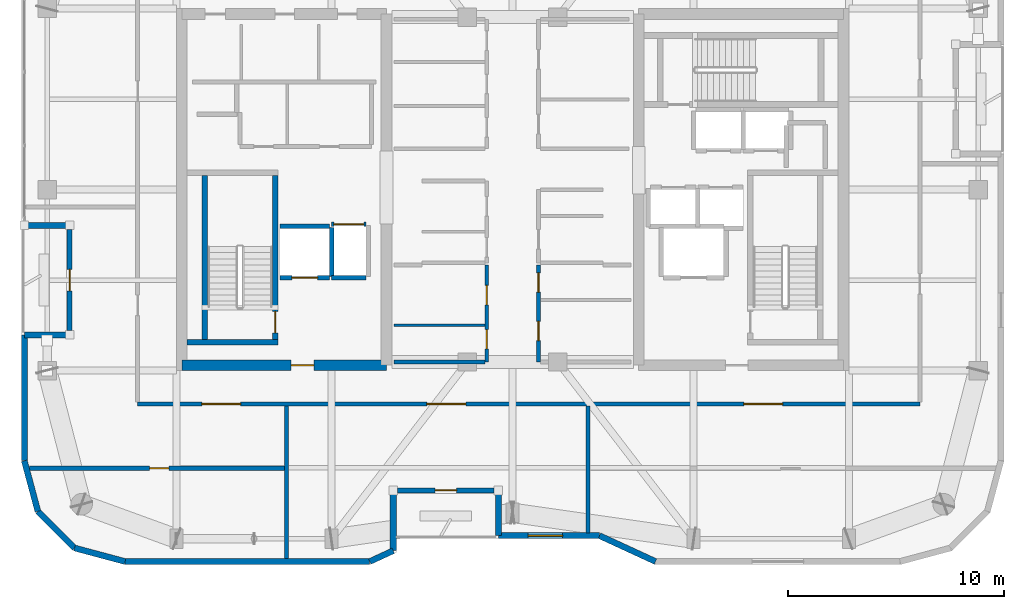
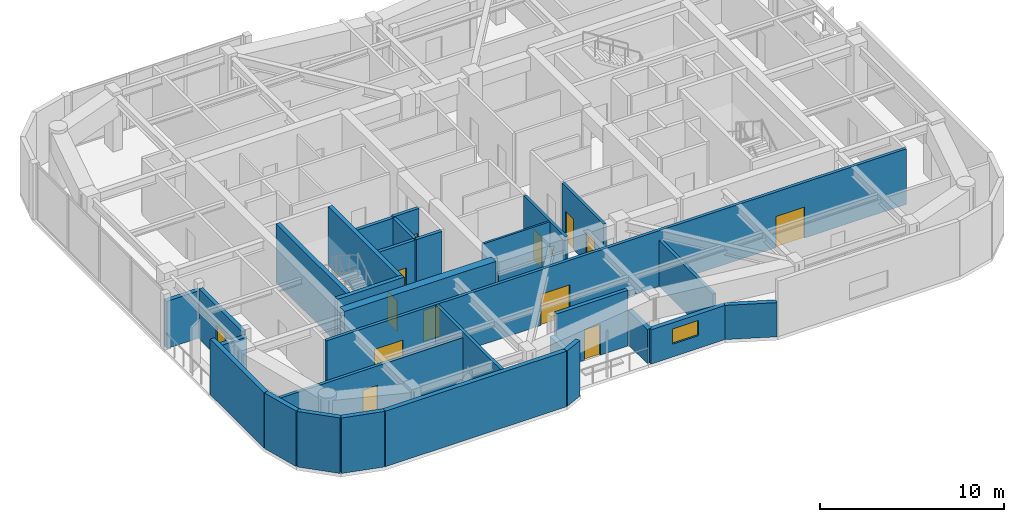
# One storey, part 10 of 16: 31 walls, 14 doors, 1 window, 15 openings.
"""IFC4 building model written with IfcOpenShell, lengths in metres."""

import ifcopenshell
import ifcopenshell.guid

model = None  # the IFC model being written
_history = None  # IfcOwnerHistory: only IFC2X3 demands one
_inside = {}  # id of a spatial element -> (the spatial element, [elements in it])
_under = {}  # id of a project, library or spatial element -> (it, [spatial elements below it])
_declared = {}  # id of a project -> (the project, [libraries it declares])
_typed = {}  # id of a type object -> (the type object, [elements of that type])
_made_of = {}  # id of a material, layer set ... -> (it, [elements and type objects made of it])


def new_model(schema):
    """Start an empty IFC model of exactly this schema.

    Asked for "IFC4X3", IfcOpenShell would pick the latest addendum, in which some entities
    have other attributes; the version numbers below select the first issue.
    IFC2X3 requires an IfcOwnerHistory on every rooted entity: one is made here for all.
    """
    global model, _history
    if schema == "IFC4X3":
        model = ifcopenshell.file(schema_version=(4, 3, 0, 0))
    else:
        model = ifcopenshell.file(schema=schema)
    _inside.clear()
    _under.clear()
    _declared.clear()
    _typed.clear()
    _made_of.clear()
    _history = None
    if model.schema == "IFC2X3":
        org = make("IfcOrganization", Name="unknown")
        user = make(
            "IfcPersonAndOrganization",
            ThePerson=make("IfcPerson", FamilyName="unknown"),
            TheOrganization=org,
        )
        app = make(
            "IfcApplication",
            ApplicationDeveloper=org,
            Version="unknown",
            ApplicationFullName="unknown",
            ApplicationIdentifier="unknown",
        )
        _history = make(
            "IfcOwnerHistory",
            OwningUser=user,
            OwningApplication=app,
            ChangeAction="ADDED",
            CreationDate=0,
        )
    return model


def make(cls, **values):
    """One entity of the class cls with the attributes given. An attribute that is None is left unset."""
    return model.create_entity(
        cls, **{name: value for name, value in values.items() if value is not None}
    )


def rooted(cls, **values):
    """An entity with a GlobalId (a new one), such as an element, a storey or a relation."""
    return make(cls, GlobalId=ifcopenshell.guid.new(), OwnerHistory=_history, **values)


def si_unit(unit_type, name, prefix=None):
    """IfcSIUnit, for example si_unit("LENGTHUNIT", "METRE", prefix="MILLI")."""
    return make("IfcSIUnit", UnitType=unit_type, Prefix=prefix, Name=name)


def assignment(units):
    """IfcUnitAssignment: the units of a project."""
    return None if units is None else make("IfcUnitAssignment", Units=units)


def point(xyz):
    """IfcCartesianPoint."""
    return None if xyz is None else make("IfcCartesianPoint", Coordinates=xyz)


def direction(xyz):
    """IfcDirection."""
    return None if xyz is None else make("IfcDirection", DirectionRatios=xyz)


def frame(location, z_axis=None, x_axis=None):
    """IfcAxis2Placement3D, a coordinate frame: its origin and axes. An axis left out is left unset."""
    return make(
        "IfcAxis2Placement3D",
        Location=point(location),
        Axis=direction(z_axis),
        RefDirection=direction(x_axis),
    )


def frame_2d(location, x_axis=None):
    """IfcAxis2Placement2D, a coordinate frame in the plane: its origin and x axis."""
    return make(
        "IfcAxis2Placement2D", Location=point(location), RefDirection=direction(x_axis)
    )


def origin():
    """The frame at (0, 0, 0) with its axes left unset."""
    return frame((0.0, 0.0, 0.0))


def place(relative_to, where):
    """IfcLocalPlacement: puts the frame where relative to a parent placement (None: the world)."""
    return make(
        "IfcLocalPlacement", PlacementRelTo=relative_to, RelativePlacement=where
    )


def context(
    kind, dimensions, precision=None, world=None, true_north=None, identifier=None
):
    """IfcGeometricRepresentationContext, for example the 3D "Model" context."""
    return make(
        "IfcGeometricRepresentationContext",
        ContextIdentifier=identifier,
        ContextType=kind,
        CoordinateSpaceDimension=dimensions,
        Precision=precision,
        WorldCoordinateSystem=world,
        TrueNorth=true_north,
    )


def subcontext(parent, identifier, kind, view, scale=None):
    """IfcGeometricRepresentationSubContext, for example "Body" below "Model"."""
    return make(
        "IfcGeometricRepresentationSubContext",
        ContextIdentifier=identifier,
        ContextType=kind,
        ParentContext=parent,
        TargetScale=scale,
        TargetView=view,
    )


def project(units=None, contexts=None):
    """IfcProject with its units and contexts."""
    return rooted(
        "IfcProject",
        Name="project",
        RepresentationContexts=contexts,
        UnitsInContext=assignment(units),
    )


def spatial(cls, under=None, at=None, **own):
    """A site, building, storey or space (cls), placed at a placement, below another one or the project."""
    s = rooted(cls, ObjectPlacement=at, **own)
    if under is not None:
        _under.setdefault(under.id(), (under, []))[1].append(s)
    return s


def profile(cls, at=None, kind="AREA", **sizes):
    """A parametric profile (cls). Its sizes go by their IFC names, for example OverallWidth=200.0."""
    return make(cls, ProfileType=kind, Position=at, **sizes)


def rectangle(**sizes):
    """IfcRectangleProfileDef."""
    return profile("IfcRectangleProfileDef", **sizes)


def extrude(swept, where, along, depth):
    """IfcExtrudedAreaSolid: the profile swept, set in the frame where, extruded along a direction by depth."""
    return make(
        "IfcExtrudedAreaSolid",
        SweptArea=swept,
        Position=where,
        ExtrudedDirection=direction(along),
        Depth=depth,
    )


def shape(context_of_items, identifier, shape_type, items):
    """IfcShapeRepresentation: the items that make up one representation, for example the "Body"."""
    return make(
        "IfcShapeRepresentation",
        ContextOfItems=context_of_items,
        RepresentationIdentifier=identifier,
        RepresentationType=shape_type,
        Items=items,
    )


def material(Name=None, Category=None):
    """IfcMaterial."""
    return make("IfcMaterial", Name=Name, Category=Category)


def layer(
    of_material, thickness, ventilated=None, Name=None, Category=None, Priority=None
):
    """IfcMaterialLayer: one layer of a wall or slab, of a material (None: an air gap)."""
    return make(
        "IfcMaterialLayer",
        Material=of_material,
        LayerThickness=thickness,
        IsVentilated=ventilated,
        Name=Name,
        Category=Category,
        Priority=Priority,
    )


def layer_set(layers, Name=None):
    """IfcMaterialLayerSet."""
    return make("IfcMaterialLayerSet", MaterialLayers=layers, LayerSetName=Name)


def made_of(thing, what):
    """Note that an element or type object is made of a material, layer set ...; save() writes the relation."""
    if what is not None:
        _made_of.setdefault(what.id(), (what, []))[1].append(thing)
    return thing


def type_object(cls, material=None, **own):
    """A type object (cls), such as IfcWallType, which elements share."""
    return made_of(rooted(cls, **own), material)


def element(
    cls,
    number,
    at=None,
    inside=None,
    cuts=None,
    type_object=None,
    material=None,
    context=None,
    identifier="Body",
    shape_type=None,
    held_by="IfcProductDefinitionShape",
    body=None,
    shapes=None,
    **own,
):
    """One element of the class cls, such as IfcWall. Its Tag is "e" and its number.

    at: its placement. inside: the storey or other place that contains it. cuts: it is an
    opening in that element (IfcRelVoidsElement). A single representation is given by context,
    identifier, shape_type and body (its items); several are given by shapes. held_by: the class
    of the entity that holds the representations. save() writes the other relations.
    """
    e = rooted(cls, Tag="e%d" % number, ObjectPlacement=at, **own)
    if body is not None:
        shapes = [shape(context, identifier, shape_type, body)]
    if shapes is not None:
        e.Representation = make(held_by, Representations=shapes)
    if inside is not None:
        _inside.setdefault(inside.id(), (inside, []))[1].append(e)
    if cuts is not None:
        rooted(
            "IfcRelVoidsElement", RelatingBuildingElement=cuts, RelatedOpeningElement=e
        )
    if type_object is not None:
        _typed.setdefault(type_object.id(), (type_object, []))[1].append(e)
    return made_of(e, material)


def fill(opening, filler):
    """IfcRelFillsElement: the door or window that sits in an opening."""
    return rooted(
        "IfcRelFillsElement",
        RelatingOpeningElement=opening,
        RelatedBuildingElement=filler,
    )


def aggregate(whole, parts):
    """IfcRelAggregates: a whole, such as a stair, and the parts it consists of."""
    return rooted("IfcRelAggregates", RelatingObject=whole, RelatedObjects=parts)


def save(model, path):
    """Write the relations noted so far, then the file.

    IfcRelAggregates (storeys below a building ...), IfcRelContainedInSpatialStructure (elements
    in a storey), IfcRelDefinesByType, IfcRelAssociatesMaterial and IfcRelDeclares: one each for
    every whole, place, type object, material and project.
    """
    for whole, parts in _under.values():
        aggregate(whole, parts)
    for where, things in _inside.values():
        rooted(
            "IfcRelContainedInSpatialStructure",
            RelatedElements=things,
            RelatingStructure=where,
        )
    for kind, things in _typed.values():
        rooted("IfcRelDefinesByType", RelatedObjects=things, RelatingType=kind)
    for what, things in _made_of.values():
        rooted("IfcRelAssociatesMaterial", RelatedObjects=things, RelatingMaterial=what)
    for by, libraries in _declared.values():
        rooted("IfcRelDeclares", RelatingContext=by, RelatedDefinitions=libraries)
    model.write(path)


model = new_model("IFC4")

# Units and contexts
model_context = context("Model", 3, precision=1e-05, world=origin(), true_north=direction((0.0, 1.0)))
body_context = subcontext(model_context, "Body", "Model", "MODEL_VIEW")
ifc_project = project(units=[si_unit("LENGTHUNIT", "METRE"), si_unit("AREAUNIT", "SQUARE_METRE"), si_unit("VOLUMEUNIT", "CUBIC_METRE"), si_unit("PLANEANGLEUNIT", "RADIAN"), si_unit("MASSUNIT", "GRAM", prefix="KILO")], contexts=[model_context])

# Site, building, storey
site_placement = place(None, origin())
site = spatial("IfcSite", under=ifc_project, at=site_placement, CompositionType="ELEMENT")
building_placement = place(site_placement, origin())
building = spatial("IfcBuilding", under=site, at=building_placement, Name="Kiyonajd Concourse Tower", CompositionType="ELEMENT")
storey_placement = place(building_placement, frame((0.0, 0.0, 329.699951171875)))
storey = spatial("IfcBuildingStorey", under=building, at=storey_placement, Name="L83", CompositionType="ELEMENT", Elevation=329.699951171875)

# Wall, opening, door
ifc_material_1 = material(Name="Concrete C60/75", Category="concrete")
ifc_layer_1 = layer(ifc_material_1, 0.5)
ifc_layer_set_1 = layer_set([ifc_layer_1], Name="Concrete C60/75")
wall_type_1 = type_object("IfcWallType", Name="WL-CORE-500", PredefinedType="SHEAR", material=ifc_layer_set_1)
wall_1_placement = place(storey_placement, frame((32.64990234375, 27.85009765625, 0.0), z_axis=(0.0, 0.0, 1.0), x_axis=(1.0, 0.0, 0.0)))
wall_1 = element("IfcWall", 1, at=wall_1_placement, inside=storey, type_object=wall_type_1, Name="L83 West Core South Shear Wall", PredefinedType="SHEAR", context=body_context, shape_type="SweptSolid", body=[
    extrude(rectangle(XDim=9.5, YDim=0.5, at=frame_2d((4.75, 0.0))), origin(), (0.0, 0.0, 1.0), 3.900146484375),
])
opening_1_placement = place(wall_1_placement, frame((5.074951171875, 0.0, 0.0)))
opening_1 = element("IfcOpeningElement", 2, at=opening_1_placement, cuts=wall_1, Name="Opening DF5", PredefinedType="OPENING", context=body_context, shape_type="SweptSolid", body=[
    extrude(rectangle(XDim=1.050048828125, YDim=2.0400390625, at=frame_2d((0.52490234375, 1.02001953125))), frame((0.0, 0.260009765625, 0.0), z_axis=(0.0, -1.0, 0.0), x_axis=(1.0, 0.0, 0.0)), (0.0, 0.0, 1.0), 0.52001953125),
])
ifc_material_2 = material(Name="Brushed Stainless Steel Cab Assembly", Category="steel")
door_type_1 = type_object("IfcDoorType", Name="DR-FD45-1050", OperationType="NOTDEFINED", PredefinedType="DOOR", material=ifc_material_2)
door_1_placement = place(opening_1_placement, origin())
door_1 = element("IfcDoor", 3, at=door_1_placement, inside=storey, type_object=door_type_1, Name="L83 Firefighting Lift Lobby W Smoke Door", OperationType="SINGLE_SWING_LEFT", OverallHeight=2.0400390625, OverallWidth=1.050048828125, PredefinedType="DOOR", context=body_context, shape_type="SweptSolid", body=[
    extrude(rectangle(XDim=1.050048828125, YDim=2.0400390625, at=frame_2d((0.52490234375, 1.02001953125))), frame((0.0, 0.02490234375, 0.0), z_axis=(0.0, -1.0, 0.0), x_axis=(1.0, 0.0, 0.0)), (0.0, 0.0, 1.0), 0.050048828125),
])
fill(opening_1, door_1)

# Walls
ifc_material_3 = material(Name="Precast concrete C50/60", Category="concrete")
ifc_layer_2 = layer(ifc_material_3, 0.280029296875)
ifc_layer_set_2 = layer_set([ifc_layer_2], Name="Precast concrete C50/60")
wall_type_2 = type_object("IfcWallType", Name="WL-EXT-280", PredefinedType="SOLIDWALL", material=ifc_layer_set_2)
wall_2_placement = place(storey_placement, frame((25.968505859375, 21.072509765625, 0.0), z_axis=(0.0, 0.0, 1.0), x_axis=(-0.258751159445, 0.965944013639, 0.0)))
element("IfcWall", 4, at=wall_2_placement, inside=storey, type_object=wall_type_2, Name="L83 Exterior Concrete Frame Wall 00", PredefinedType="SOLIDWALL", context=body_context, shape_type="SweptSolid", body=[
    extrude(rectangle(XDim=2.4287109375, YDim=0.280029296875, at=frame_2d((1.21435546875, 0.0))), origin(), (0.0, 0.0, 1.0), 3.679931640625),
])
wall_3_placement = place(storey_placement, frame((25.340087890625, 23.41845703125, 0.0), z_axis=(0.0, 0.0, 1.0), x_axis=(0.0, 1.0, 0.0)))
element("IfcWall", 5, at=wall_3_placement, inside=storey, type_object=wall_type_2, Name="L83 Exterior Concrete Frame Wall 01", PredefinedType="SOLIDWALL", context=body_context, shape_type="SweptSolid", body=[
    extrude(rectangle(XDim=5.841552734375, YDim=0.280029296875, at=frame_2d((2.9208984375, 0.0))), origin(), (0.0, 0.0, 1.0), 3.679931640625),
])
for number, where, z_axis, x_axis, name in (
    (6, (25.340087890625, 29.260009765625, 0.0), (0.0, 0.0, 1.0), (1.0, 0.0, 0.0), "L83 Exterior Concrete Frame Wall 02"),
    (7, (27.43994140625, 34.340087890625, 0.0), (0.0, 0.0, 1.0), (-1.0, 0.0, 0.0), "L83 Exterior Concrete Frame Wall 04"),
):
    element("IfcWall", number, at=place(storey_placement, frame(where, z_axis=z_axis, x_axis=x_axis)), inside=storey, type_object=wall_type_2, Name=name, PredefinedType="SOLIDWALL", context=body_context, shape_type="SweptSolid", body=[
        extrude(rectangle(XDim=2.099853515625, YDim=0.280029296875, at=frame_2d((1.0498046875, 0.0))), origin(), (0.0, 0.0, 1.0), 3.1259765625),
    ])
wall_4_placement = place(storey_placement, frame((54.630615234375, 18.739990234375, 0.0), z_axis=(0.0, 0.0, 1.0), x_axis=(-0.907956889006, 0.419063584324, 0.0)))
element("IfcWall", 8, at=wall_4_placement, inside=storey, type_object=wall_type_2, Name="L83 Exterior Concrete Frame Wall 29", PredefinedType="SOLIDWALL", context=body_context, shape_type="SweptSolid", body=[
    extrude(rectangle(XDim=2.863525390625, YDim=0.280029296875, at=frame_2d((1.431640625, 0.0))), origin(), (0.0, 0.0, 1.0), 2.26513671875),
])

# Wall, opening, window
wall_5_placement = place(storey_placement, frame((52.03076171875, 19.93994140625, 0.0), z_axis=(0.0, 0.0, 1.0), x_axis=(-1.0, 0.0, 0.0)))
wall_5 = element("IfcWall", 9, at=wall_5_placement, inside=storey, type_object=wall_type_2, Name="L83 Exterior Concrete Frame Wall 30", PredefinedType="SOLIDWALL", context=body_context, shape_type="SweptSolid", body=[
    extrude(rectangle(XDim=4.690673828125, YDim=0.280029296875, at=frame_2d((2.34521484375, 0.0))), origin(), (0.0, 0.0, 1.0), 2.26513671875),
])
opening_2_placement = place(wall_5_placement, frame((1.716064453125, 0.0, 0.85009765625)))
opening_2 = element("IfcOpeningElement", 10, at=opening_2_placement, cuts=wall_5, Name="Opening WN6", PredefinedType="OPENING", context=body_context, shape_type="SweptSolid", body=[
    extrude(rectangle(XDim=1.60009765625, YDim=1.0, at=frame_2d((0.800048828125, 0.5))), frame((0.0, 0.14990234375, 0.0), z_axis=(0.0, -1.0, 0.0), x_axis=(1.0, 0.0, 0.0)), (0.0, 0.0, 1.0), 0.300048828125),
])
ifc_material_4 = material(Name="Double Low-E Insulated Glass", Category="glass")
window_type = type_object("IfcWindowType", Name="WN-VIS-1600x1000", PartitioningType="SINGLE_PANEL", PredefinedType="WINDOW", material=ifc_material_4)
window_placement = place(opening_2_placement, origin())
window = element("IfcWindow", 11, at=window_placement, inside=storey, type_object=window_type, Name="L83 Modular Facade Vision Window 30", OverallHeight=1.0, OverallWidth=1.60009765625, PartitioningType="SINGLE_PANEL", PredefinedType="WINDOW", context=body_context, shape_type="SweptSolid", body=[
    extrude(rectangle(XDim=1.60009765625, YDim=1.0, at=frame_2d((0.800048828125, 0.5))), frame((0.0, 0.030029296875, 0.0), z_axis=(0.0, -1.0, 0.0), x_axis=(1.0, 0.0, 0.0)), (0.0, 0.0, 1.0), 0.06005859375),
])
fill(opening_2, window)

# Walls
wall_6_placement = place(storey_placement, frame((47.340087890625, 19.93994140625, 0.0), z_axis=(0.0, 0.0, 1.0), x_axis=(0.0, 1.0, 0.0)))
element("IfcWall", 12, at=wall_6_placement, inside=storey, type_object=wall_type_2, Name="L83 Exterior Concrete Frame Wall 31", PredefinedType="SOLIDWALL", context=body_context, shape_type="SweptSolid", body=[
    extrude(rectangle(XDim=2.10009765625, YDim=0.280029296875, at=frame_2d((1.050048828125, 0.0))), origin(), (0.0, 0.0, 1.0), 2.26513671875),
])
wall_7_placement = place(storey_placement, frame((42.4599609375, 22.0400390625, 0.0), z_axis=(0.0, 0.0, 1.0), x_axis=(0.0, -1.0, 0.0)))
element("IfcWall", 13, at=wall_7_placement, inside=storey, type_object=wall_type_2, Name="L83 Exterior Concrete Frame Wall 33", PredefinedType="SOLIDWALL", context=body_context, shape_type="SweptSolid", body=[
    extrude(rectangle(XDim=2.79638671875, YDim=0.280029296875, at=frame_2d((1.398193359375, 0.0))), origin(), (0.0, 0.0, 1.0), 2.26513671875),
])
wall_8_placement = place(storey_placement, frame((42.4599609375, 19.24365234375, 0.0), z_axis=(0.0, 0.0, 1.0), x_axis=(-0.907893953211, -0.419199916176, 0.0)))
element("IfcWall", 14, at=wall_8_placement, inside=storey, type_object=wall_type_2, Name="L83 Exterior Concrete Frame Wall 34", PredefinedType="SOLIDWALL", context=body_context, shape_type="SweptSolid", body=[
    extrude(rectangle(XDim=1.201416015625, YDim=0.280029296875, at=frame_2d((0.6005859375, 0.0))), origin(), (0.0, 0.0, 1.0), 3.679931640625),
])
wall_9_placement = place(storey_placement, frame((41.369140625, 18.739990234375, 0.0), z_axis=(0.0, 0.0, 1.0), x_axis=(-1.0, 0.0, 0.0)))
element("IfcWall", 15, at=wall_9_placement, inside=storey, type_object=wall_type_2, Name="L83 Exterior Concrete Frame Wall 35", PredefinedType="SOLIDWALL", context=body_context, shape_type="SweptSolid", body=[
    extrude(rectangle(XDim=11.350830078125, YDim=0.280029296875, at=frame_2d((5.67529296875, 0.0))), origin(), (0.0, 0.0, 1.0), 3.679931640625),
])
wall_10_placement = place(storey_placement, frame((30.018310546875, 18.739990234375, 0.0), z_axis=(0.0, 0.0, 1.0), x_axis=(-0.965937282298, 0.25877628691, 0.0)))
element("IfcWall", 16, at=wall_10_placement, inside=storey, type_object=wall_type_2, Name="L83 Exterior Concrete Frame Wall 36", PredefinedType="SOLIDWALL", context=body_context, shape_type="SweptSolid", body=[
    extrude(rectangle(XDim=2.428466796875, YDim=0.280029296875, at=frame_2d((1.21435546875, 0.0))), origin(), (0.0, 0.0, 1.0), 3.679931640625),
])
wall_11_placement = place(storey_placement, frame((27.672607421875, 19.368408203125, 0.0), z_axis=(0.0, 0.0, 1.0), x_axis=(-0.707106781187, 0.707106781187, 0.0)))
element("IfcWall", 17, at=wall_11_placement, inside=storey, type_object=wall_type_2, Name="L83 Exterior Concrete Frame Wall 37", PredefinedType="SOLIDWALL", context=body_context, shape_type="SweptSolid", body=[
    extrude(rectangle(XDim=2.409912109375, YDim=0.280029296875, at=frame_2d((1.205078125, 0.0))), origin(), (0.0, 0.0, 1.0), 3.679931640625),
])

# Wall, opening, door
ifc_layer_3 = layer(ifc_material_3, 0.239990234375)
ifc_layer_set_3 = layer_set([ifc_layer_3], Name="Precast concrete C50/60")
wall_type_3 = type_object("IfcWallType", Name="WL-LOG-240", PredefinedType="SOLIDWALL", material=ifc_layer_set_3)
wall_12_placement = place(storey_placement, frame((27.43994140625, 29.455078125, 0.0), z_axis=(0.0, 0.0, 1.0), x_axis=(0.0, 1.0, 0.0)))
wall_12 = element("IfcWall", 18, at=wall_12_placement, inside=storey, type_object=wall_type_3, Name="L83 Recessed Loggia Thermal Wall LOG-W", PredefinedType="SOLIDWALL", context=body_context, shape_type="SweptSolid", body=[
    extrude(rectangle(XDim=4.68994140625, YDim=0.239990234375, at=frame_2d((2.344970703125, 0.0))), origin(), (0.0, 0.0, 1.0), 3.31103515625),
])
opening_3_placement = place(wall_12_placement, frame((1.844970703125, 0.0, 0.0)))
opening_3 = element("IfcOpeningElement", 19, at=opening_3_placement, cuts=wall_12, Name="Opening DL1", PredefinedType="OPENING", context=body_context, shape_type="SweptSolid", body=[
    extrude(rectangle(XDim=1.0, YDim=2.02001953125, at=frame_2d((0.5, 1.010009765625))), frame((0.0, 0.1298828125, 0.0), z_axis=(0.0, -1.0, 0.0), x_axis=(1.0, 0.0, 0.0)), (0.0, 0.0, 1.0), 0.260009765625),
])
ifc_material_5 = material(Name="Thermally Broken Anodised Aluminium", Category="aluminium")
door_type_2 = type_object("IfcDoorType", Name="DR-LOG-1000", OperationType="NOTDEFINED", PredefinedType="DOOR", material=ifc_material_5)
door_2_placement = place(opening_3_placement, origin())
door_2 = element("IfcDoor", 20, at=door_2_placement, inside=storey, type_object=door_type_2, Name="L83 Engawa Loggia Access Door LOG-W", OperationType="SINGLE_SWING_LEFT", OverallHeight=2.02001953125, OverallWidth=1.0, PredefinedType="DOOR", context=body_context, shape_type="SweptSolid", body=[
    extrude(rectangle(XDim=1.0, YDim=2.02001953125, at=frame_2d((0.5, 1.010009765625))), frame((0.0, 0.02490234375, 0.0), z_axis=(0.0, -1.0, 0.0), x_axis=(1.0, 0.0, 0.0)), (0.0, 0.0, 1.0), 0.050048828125),
])
fill(opening_3, door_2)

wall_13_placement = place(storey_placement, frame((47.14501953125, 22.0400390625, 0.0), z_axis=(0.0, 0.0, 1.0), x_axis=(-1.0, 0.0, 0.0)))
wall_13 = element("IfcWall", 21, at=wall_13_placement, inside=storey, type_object=wall_type_3, Name="L83 Recessed Loggia Thermal Wall LOG-S", PredefinedType="SOLIDWALL", context=body_context, shape_type="SweptSolid", body=[
    extrude(rectangle(XDim=4.489990234375, YDim=0.239990234375, at=frame_2d((2.2451171875, 0.0))), origin(), (0.0, 0.0, 1.0), 3.679931640625),
])
opening_4_placement = place(wall_13_placement, frame((1.7451171875, 0.0, 0.0)))
opening_4 = element("IfcOpeningElement", 22, at=opening_4_placement, cuts=wall_13, Name="Opening DL1", PredefinedType="OPENING", context=body_context, shape_type="SweptSolid", body=[
    extrude(rectangle(XDim=1.0, YDim=2.02001953125, at=frame_2d((0.5, 1.010009765625))), frame((0.0, 0.1298828125, 0.0), z_axis=(0.0, -1.0, 0.0), x_axis=(1.0, 0.0, 0.0)), (0.0, 0.0, 1.0), 0.260009765625),
])
door_3_placement = place(opening_4_placement, origin())
door_3 = element("IfcDoor", 23, at=door_3_placement, inside=storey, type_object=door_type_2, Name="L83 Engawa Loggia Access Door LOG-S", OperationType="SINGLE_SWING_RIGHT", OverallHeight=2.02001953125, OverallWidth=1.0, PredefinedType="DOOR", context=body_context, shape_type="SweptSolid", body=[
    extrude(rectangle(XDim=1.0, YDim=2.02001953125, at=frame_2d((0.5, 1.010009765625))), frame((0.0, 0.02490234375, 0.0), z_axis=(0.0, -1.0, 0.0), x_axis=(1.0, 0.0, 0.0)), (0.0, 0.0, 1.0), 0.050048828125),
])
fill(opening_4, door_3)

# Wall
ifc_material_6 = material(Name="Gypsum Board on Cold-Formed Steel Stud", Category="steel")
ifc_layer_4 = layer(ifc_material_6, 0.125)
ifc_layer_set_4 = layer_set([ifc_layer_4], Name="Gypsum Board on Cold-Formed Steel Stud")
wall_type_4 = type_object("IfcWallType", Name="WL-PART-125", PredefinedType="PARTITIONING", material=ifc_layer_set_4)
wall_14_placement = place(storey_placement, frame((42.5, 29.7099609375, 0.0), z_axis=(0.0, 0.0, 1.0), x_axis=(1.0, 0.0, 0.0)))
element("IfcWall", 24, at=wall_14_placement, inside=storey, type_object=wall_type_4, Name="L83 Interior Partition Wall", PredefinedType="PARTITIONING", context=body_context, shape_type="SweptSolid", body=[
    extrude(rectangle(XDim=4.212890625, YDim=0.125, at=frame_2d((2.1064453125, 0.0))), origin(), (0.0, 0.0, 1.0), 3.679931640625),
])

# Wall, openings, doors
ifc_layer_5 = layer(ifc_material_6, 0.18994140625)
ifc_layer_set_5 = layer_set([ifc_layer_5], Name="Gypsum Board on Cold-Formed Steel Stud")
wall_type_5 = type_object("IfcWallType", Name="WL-PLMB-190", PredefinedType="PLUMBINGWALL", material=ifc_layer_set_5)
wall_15_placement = place(storey_placement, frame((30.60009765625, 26.050048828125, 0.0), z_axis=(0.0, 0.0, 1.0), x_axis=(1.0, 0.0, 0.0)))
wall_15 = element("IfcWall", 25, at=wall_15_placement, inside=storey, type_object=wall_type_5, Name="L83 Interior Partition Wall", PredefinedType="PLUMBINGWALL", context=body_context, shape_type="SweptSolid", body=[
    extrude(rectangle(XDim=36.2998046875, YDim=0.18994140625, at=frame_2d((18.14990234375, 0.0))), origin(), (0.0, 0.0, 1.0), 3.679931640625),
])
opening_5_placement = place(wall_15_placement, frame((2.97509765625, 0.0, 0.0)))
opening_5 = element("IfcOpeningElement", 26, at=opening_5_placement, cuts=wall_15, Name="Opening DI3", PredefinedType="OPENING", context=body_context, shape_type="SweptSolid", body=[
    extrude(rectangle(XDim=1.800048828125, YDim=2.06005859375, at=frame_2d((0.89990234375, 1.030029296875))), frame((0.0, 0.10498046875, 0.0), z_axis=(0.0, -1.0, 0.0), x_axis=(1.0, 0.0, 0.0)), (0.0, 0.0, 1.0), 0.2099609375),
])
opening_6_placement = place(wall_15_placement, frame((13.425048828125, 0.0, 0.0)))
opening_6 = element("IfcOpeningElement", 27, at=opening_6_placement, cuts=wall_15, Name="Opening DI3", PredefinedType="OPENING", context=body_context, shape_type="SweptSolid", body=[
    extrude(rectangle(XDim=1.800048828125, YDim=2.06005859375, at=frame_2d((0.89990234375, 1.030029296875))), frame((0.0, 0.10498046875, 0.0), z_axis=(0.0, -1.0, 0.0), x_axis=(1.0, 0.0, 0.0)), (0.0, 0.0, 1.0), 0.2099609375),
])
opening_7_placement = place(wall_15_placement, frame((28.125, 0.0, 0.0)))
opening_7 = element("IfcOpeningElement", 28, at=opening_7_placement, cuts=wall_15, Name="Opening DI3", PredefinedType="OPENING", context=body_context, shape_type="SweptSolid", body=[
    extrude(rectangle(XDim=1.800048828125, YDim=2.06005859375, at=frame_2d((0.89990234375, 1.030029296875))), frame((0.0, 0.10498046875, 0.0), z_axis=(0.0, -1.0, 0.0), x_axis=(1.0, 0.0, 0.0)), (0.0, 0.0, 1.0), 0.2099609375),
])
door_type_3 = type_object("IfcDoorType", Name="DR-PAIR-1800", OperationType="DOUBLE_DOOR_SINGLE_SWING", PredefinedType="DOOR", material=ifc_material_2)
door_4_placement = place(opening_5_placement, origin())
door_4 = element("IfcDoor", 29, at=door_4_placement, inside=storey, type_object=door_type_3, Name="L83 Interior Door", OperationType="DOUBLE_DOOR_SINGLE_SWING", OverallHeight=2.06005859375, OverallWidth=1.800048828125, PredefinedType="DOOR", context=body_context, shape_type="SweptSolid", body=[
    extrude(rectangle(XDim=1.800048828125, YDim=2.06005859375, at=frame_2d((0.89990234375, 1.030029296875))), frame((0.0, 0.02490234375, 0.0), z_axis=(0.0, -1.0, 0.0), x_axis=(1.0, 0.0, 0.0)), (0.0, 0.0, 1.0), 0.050048828125),
])
fill(opening_5, door_4)
door_5_placement = place(opening_6_placement, origin())
door_5 = element("IfcDoor", 30, at=door_5_placement, inside=storey, type_object=door_type_3, Name="L83 Interior Door", OperationType="DOUBLE_DOOR_SINGLE_SWING", OverallHeight=2.06005859375, OverallWidth=1.800048828125, PredefinedType="DOOR", context=body_context, shape_type="SweptSolid", body=[
    extrude(rectangle(XDim=1.800048828125, YDim=2.06005859375, at=frame_2d((0.89990234375, 1.030029296875))), frame((0.0, 0.02490234375, 0.0), z_axis=(0.0, -1.0, 0.0), x_axis=(1.0, 0.0, 0.0)), (0.0, 0.0, 1.0), 0.050048828125),
])
fill(opening_6, door_5)
door_6_placement = place(opening_7_placement, origin())
door_6 = element("IfcDoor", 31, at=door_6_placement, inside=storey, type_object=door_type_3, Name="L83 Interior Door", OperationType="DOUBLE_DOOR_SINGLE_SWING", OverallHeight=2.06005859375, OverallWidth=1.800048828125, PredefinedType="DOOR", context=body_context, shape_type="SweptSolid", body=[
    extrude(rectangle(XDim=1.800048828125, YDim=2.06005859375, at=frame_2d((0.89990234375, 1.030029296875))), frame((0.0, 0.02490234375, 0.0), z_axis=(0.0, -1.0, 0.0), x_axis=(1.0, 0.0, 0.0)), (0.0, 0.0, 1.0), 0.050048828125),
])
fill(opening_7, door_6)

# Wall, opening, door
wall_16_placement = place(storey_placement, frame((25.574951171875, 23.070068359375, 0.0), z_axis=(0.0, 0.0, 1.0), x_axis=(1.0, 0.0, 0.0)))
wall_16 = element("IfcWall", 32, at=wall_16_placement, inside=storey, type_object=wall_type_5, Name="L83 Interior Partition Wall", PredefinedType="PLUMBINGWALL", context=body_context, shape_type="SweptSolid", body=[
    extrude(rectangle(XDim=11.925048828125, YDim=0.18994140625, at=frame_2d((5.96240234375, 0.0))), origin(), (0.0, 0.0, 1.0), 3.31103515625),
])
opening_8_placement = place(wall_16_placement, frame((5.574951171875, 0.0, 0.0)))
opening_8 = element("IfcOpeningElement", 33, at=opening_8_placement, cuts=wall_16, Name="Opening DI2", PredefinedType="OPENING", context=body_context, shape_type="SweptSolid", body=[
    extrude(rectangle(XDim=0.89990234375, YDim=2.02001953125, at=frame_2d((0.449951171875, 1.010009765625))), frame((0.0, 0.10498046875, 0.0), z_axis=(0.0, -1.0, 0.0), x_axis=(1.0, 0.0, 0.0)), (0.0, 0.0, 1.0), 0.2099609375),
])
ifc_material_7 = material(Name="Natural Oak Acoustic Timber Veneer", Category="wood")
door_type_4 = type_object("IfcDoorType", Name="DR-INT-900", OperationType="NOTDEFINED", PredefinedType="DOOR", material=ifc_material_7)
door_7_placement = place(opening_8_placement, origin())
door_7 = element("IfcDoor", 34, at=door_7_placement, inside=storey, type_object=door_type_4, Name="L83 Interior Door", OperationType="SINGLE_SWING_LEFT", OverallHeight=2.02001953125, OverallWidth=0.89990234375, PredefinedType="DOOR", context=body_context, shape_type="SweptSolid", body=[
    extrude(rectangle(XDim=0.89990234375, YDim=2.02001953125, at=frame_2d((0.449951171875, 1.010009765625))), frame((0.0, 0.02490234375, 0.0), z_axis=(0.0, -1.0, 0.0), x_axis=(1.0, 0.0, 0.0)), (0.0, 0.0, 1.0), 0.050048828125),
])
fill(opening_8, door_7)

# Walls
wall_17_placement = place(storey_placement, frame((37.5, 18.875, 0.0), z_axis=(0.0, 0.0, 1.0), x_axis=(0.0, 1.0, 0.0)))
element("IfcWall", 35, at=wall_17_placement, inside=storey, type_object=wall_type_5, Name="L83 Interior Partition Wall", PredefinedType="PLUMBINGWALL", context=body_context, shape_type="SweptSolid", body=[
    extrude(rectangle(XDim=7.077880859375, YDim=0.18994140625, at=frame_2d((3.5390625, 0.0))), origin(), (0.0, 0.0, 1.0), 3.679931640625),
])
wall_18_placement = place(storey_placement, frame((51.5, 20.074951171875, 0.0), z_axis=(0.0, 0.0, 1.0), x_axis=(0.0, 1.0, 0.0)))
element("IfcWall", 36, at=wall_18_placement, inside=storey, type_object=wall_type_5, Name="L83 Interior Partition Wall", PredefinedType="PLUMBINGWALL", context=body_context, shape_type="SweptSolid", body=[
    extrude(rectangle(XDim=5.8779296875, YDim=0.18994140625, at=frame_2d((2.93896484375, 0.0))), origin(), (0.0, 0.0, 1.0), 3.04296875),
])

# Wall, opening, door
ifc_layer_6 = layer(ifc_material_6, 0.2099609375)
ifc_layer_set_6 = layer_set([ifc_layer_6], Name="Gypsum Board on Cold-Formed Steel Stud")
wall_type_6 = type_object("IfcWallType", Name="WL-SHAFT-210", PredefinedType="PARTITIONING", material=ifc_layer_set_6)
wall_19_placement = place(storey_placement, frame((37.199951171875, 31.89990234375, 0.0), z_axis=(0.0, 0.0, 1.0), x_axis=(1.0, 0.0, 0.0)))
wall_19 = element("IfcWall", 37, at=wall_19_placement, inside=storey, type_object=wall_type_6, Name="L83 Shaft Enclosure Wall", PredefinedType="PARTITIONING", context=body_context, shape_type="SweptSolid", body=[
    extrude(rectangle(XDim=2.300048828125, YDim=0.2099609375, at=frame_2d((1.14990234375, 0.0))), origin(), (0.0, 0.0, 1.0), 3.679931640625),
])
opening_9_placement = place(wall_19_placement, frame((0.550048828125, 0.0, 0.0)))
opening_9 = element("IfcOpeningElement", 38, at=opening_9_placement, cuts=wall_19, Name="Opening LD2", PredefinedType="OPENING", context=body_context, shape_type="SweptSolid", body=[
    extrude(rectangle(XDim=1.199951171875, YDim=2.0400390625, at=frame_2d((0.60009765625, 1.02001953125))), frame((0.0, 0.114990234375, 0.0), z_axis=(0.0, -1.0, 0.0), x_axis=(1.0, 0.0, 0.0)), (0.0, 0.0, 1.0), 0.22998046875),
])
door_type_5 = type_object("IfcDoorType", Name="DR-LD-1200", OperationType="DOUBLE_DOOR_SLIDING", PredefinedType="DOOR", material=ifc_material_2)
door_8_placement = place(opening_9_placement, origin())
door_8 = element("IfcDoor", 39, at=door_8_placement, inside=storey, type_object=door_type_5, Name="L83 Lift FFL1 Sliding Landing Door", OperationType="DOUBLE_DOOR_SLIDING", OverallHeight=2.0400390625, OverallWidth=1.199951171875, PredefinedType="DOOR", context=body_context, shape_type="SweptSolid", body=[
    extrude(rectangle(XDim=1.199951171875, YDim=2.0400390625, at=frame_2d((0.60009765625, 1.02001953125))), frame((0.0, 0.02490234375, 0.0), z_axis=(0.0, -1.0, 0.0), x_axis=(1.0, 0.0, 0.0)), (0.0, 0.0, 1.0), 0.050048828125),
])
fill(opening_9, door_8)

# Walls
wall_20_placement = place(storey_placement, frame((37.199951171875, 34.300048828125, 0.0), z_axis=(0.0, 0.0, 1.0), x_axis=(1.0, 0.0, 0.0)))
element("IfcWall", 40, at=wall_20_placement, inside=storey, type_object=wall_type_6, Name="L83 Shaft Enclosure Wall", PredefinedType="PARTITIONING", context=body_context, shape_type="SweptSolid", body=[
    extrude(rectangle(XDim=2.300048828125, YDim=0.2099609375, at=frame_2d((1.14990234375, 0.0))), origin(), (0.0, 0.0, 1.0), 3.679931640625),
])
wall_21_placement = place(storey_placement, frame((39.60009765625, 31.9599609375, 0.0), z_axis=(0.0, 0.0, 1.0), x_axis=(0.0, 1.0, 0.0)))
element("IfcWall", 41, at=wall_21_placement, inside=storey, type_object=wall_type_6, Name="L83 Shaft Enclosure Wall", PredefinedType="PARTITIONING", context=body_context, shape_type="SweptSolid", body=[
    extrude(rectangle(XDim=2.280029296875, YDim=0.2099609375, at=frame_2d((1.14013671875, 0.0))), origin(), (0.0, 0.0, 1.0), 3.679931640625),
])

# Wall, opening, door
wall_22_placement = place(storey_placement, frame((39.60009765625, 34.39990234375, 0.0), z_axis=(0.0, 0.0, 1.0), x_axis=(1.0, 0.0, 0.0)))
wall_22 = element("IfcWall", 42, at=wall_22_placement, inside=storey, type_object=wall_type_6, Name="L83 Shaft Enclosure Wall", PredefinedType="PARTITIONING", context=body_context, shape_type="SweptSolid", body=[
    extrude(rectangle(XDim=1.599853515625, YDim=0.2099609375, at=frame_2d((0.7998046875, 0.0))), origin(), (0.0, 0.0, 1.0), 3.679931640625),
])
opening_10_placement = place(wall_22_placement, frame((0.10009765625, 0.0, 0.0)))
opening_10 = element("IfcOpeningElement", 43, at=opening_10_placement, cuts=wall_22, Name="Opening LD3", PredefinedType="OPENING", context=body_context, shape_type="SweptSolid", body=[
    extrude(rectangle(XDim=1.39990234375, YDim=2.06005859375, at=frame_2d((0.699951171875, 1.030029296875))), frame((0.0, 0.114990234375, 0.0), z_axis=(0.0, -1.0, 0.0), x_axis=(1.0, 0.0, 0.0)), (0.0, 0.0, 1.0), 0.22998046875),
])
door_type_6 = type_object("IfcDoorType", Name="DR-LD-1400", OperationType="DOUBLE_DOOR_SLIDING", PredefinedType="DOOR", material=ifc_material_2)
door_9_placement = place(opening_10_placement, origin())
door_9 = element("IfcDoor", 44, at=door_9_placement, inside=storey, type_object=door_type_6, Name="L83 Lift SVL1 Sliding Landing Door", OperationType="DOUBLE_DOOR_SLIDING", OverallHeight=2.06005859375, OverallWidth=1.39990234375, PredefinedType="DOOR", context=body_context, shape_type="SweptSolid", body=[
    extrude(rectangle(XDim=1.39990234375, YDim=2.06005859375, at=frame_2d((0.699951171875, 1.030029296875))), frame((0.0, 0.02490234375, 0.0), z_axis=(0.0, -1.0, 0.0), x_axis=(1.0, 0.0, 0.0)), (0.0, 0.0, 1.0), 0.050048828125),
])
fill(opening_10, door_9)

# Wall
wall_23_placement = place(storey_placement, frame((39.60009765625, 31.89990234375, 0.0), z_axis=(0.0, 0.0, 1.0), x_axis=(1.0, 0.0, 0.0)))
element("IfcWall", 45, at=wall_23_placement, inside=storey, type_object=wall_type_6, Name="L83 Shaft Enclosure Wall", PredefinedType="PARTITIONING", context=body_context, shape_type="SweptSolid", body=[
    extrude(rectangle(XDim=1.599853515625, YDim=0.2099609375, at=frame_2d((0.7998046875, 0.0))), origin(), (0.0, 0.0, 1.0), 3.679931640625),
])

# Wall, openings, doors
ifc_layer_7 = layer(ifc_material_6, 0.169921875)
ifc_layer_set_7 = layer_set([ifc_layer_7], Name="Gypsum Board on Cold-Formed Steel Stud")
wall_type_7 = type_object("IfcWallType", Name="WL-SMK-170", PredefinedType="PARTITIONING", material=ifc_layer_set_7)
wall_24_placement = place(storey_placement, frame((46.800048828125, 28.0, 0.0), z_axis=(0.0, 0.0, 1.0), x_axis=(0.0, 1.0, 0.0)))
wall_24 = element("IfcWall", 46, at=wall_24_placement, inside=storey, type_object=wall_type_7, Name="L83 Interior Partition Wall", PredefinedType="PARTITIONING", context=body_context, shape_type="SweptSolid", body=[
    extrude(rectangle(XDim=4.5, YDim=0.169921875, at=frame_2d((2.25, 0.0))), origin(), (0.0, 0.0, 1.0), 3.679931640625),
])
opening_11_placement = place(wall_24_placement, frame((0.60498046875, 0.0, 0.0)))
opening_11 = element("IfcOpeningElement", 47, at=opening_11_placement, cuts=wall_24, Name="Opening DI2", PredefinedType="OPENING", context=body_context, shape_type="SweptSolid", body=[
    extrude(rectangle(XDim=0.89990234375, YDim=2.02001953125, at=frame_2d((0.449951171875, 1.010009765625))), frame((0.0, 0.094970703125, 0.0), z_axis=(0.0, -1.0, 0.0), x_axis=(1.0, 0.0, 0.0)), (0.0, 0.0, 1.0), 0.18994140625),
])
opening_12_placement = place(wall_24_placement, frame((2.655029296875, 0.0, 0.0)))
opening_12 = element("IfcOpeningElement", 48, at=opening_12_placement, cuts=wall_24, Name="Opening DI2", PredefinedType="OPENING", context=body_context, shape_type="SweptSolid", body=[
    extrude(rectangle(XDim=0.89990234375, YDim=2.02001953125, at=frame_2d((0.449951171875, 1.010009765625))), frame((0.0, 0.094970703125, 0.0), z_axis=(0.0, -1.0, 0.0), x_axis=(1.0, 0.0, 0.0)), (0.0, 0.0, 1.0), 0.18994140625),
])
door_10_placement = place(opening_11_placement, origin())
door_10 = element("IfcDoor", 49, at=door_10_placement, inside=storey, type_object=door_type_4, Name="L83 Interior Door", OperationType="SINGLE_SWING_RIGHT", OverallHeight=2.02001953125, OverallWidth=0.89990234375, PredefinedType="DOOR", context=body_context, shape_type="SweptSolid", body=[
    extrude(rectangle(XDim=0.89990234375, YDim=2.02001953125, at=frame_2d((0.449951171875, 1.010009765625))), frame((0.0, 0.02490234375, 0.0), z_axis=(0.0, -1.0, 0.0), x_axis=(1.0, 0.0, 0.0)), (0.0, 0.0, 1.0), 0.050048828125),
])
fill(opening_11, door_10)
door_11_placement = place(opening_12_placement, origin())
door_11 = element("IfcDoor", 50, at=door_11_placement, inside=storey, type_object=door_type_4, Name="L83 Interior Door", OperationType="SINGLE_SWING_LEFT", OverallHeight=2.02001953125, OverallWidth=0.89990234375, PredefinedType="DOOR", context=body_context, shape_type="SweptSolid", body=[
    extrude(rectangle(XDim=0.89990234375, YDim=2.02001953125, at=frame_2d((0.449951171875, 1.010009765625))), frame((0.0, 0.02490234375, 0.0), z_axis=(0.0, -1.0, 0.0), x_axis=(1.0, 0.0, 0.0)), (0.0, 0.0, 1.0), 0.050048828125),
])
fill(opening_12, door_11)

# Wall
wall_25_placement = place(storey_placement, frame((42.5, 28.0, 0.0), z_axis=(0.0, 0.0, 1.0), x_axis=(1.0, 0.0, 0.0)))
element("IfcWall", 51, at=wall_25_placement, inside=storey, type_object=wall_type_7, Name="L83 Interior Partition Wall", PredefinedType="PARTITIONING", context=body_context, shape_type="SweptSolid", body=[
    extrude(rectangle(XDim=4.212890625, YDim=0.169921875, at=frame_2d((2.1064453125, 0.0))), origin(), (0.0, 0.0, 1.0), 2.76513671875),
])

# Wall, openings, doors
wall_26_placement = place(storey_placement, frame((49.199951171875, 28.0, 0.0), z_axis=(0.0, 0.0, 1.0), x_axis=(0.0, 1.0, 0.0)))
wall_26 = element("IfcWall", 52, at=wall_26_placement, inside=storey, type_object=wall_type_7, Name="L83 Interior Partition Wall", PredefinedType="PARTITIONING", context=body_context, shape_type="SweptSolid", body=[
    extrude(rectangle(XDim=4.5, YDim=0.169921875, at=frame_2d((2.25, 0.0))), origin(), (0.0, 0.0, 1.0), 3.679931640625),
])
opening_13_placement = place(wall_26_placement, frame((0.989990234375, 0.0, 0.0)))
opening_13 = element("IfcOpeningElement", 53, at=opening_13_placement, cuts=wall_26, Name="Opening DF4", PredefinedType="OPENING", context=body_context, shape_type="SweptSolid", body=[
    extrude(rectangle(XDim=0.89990234375, YDim=2.02001953125, at=frame_2d((0.449951171875, 1.010009765625))), frame((0.0, 0.094970703125, 0.0), z_axis=(0.0, -1.0, 0.0), x_axis=(1.0, 0.0, 0.0)), (0.0, 0.0, 1.0), 0.18994140625),
])
opening_14_placement = place(wall_26_placement, frame((3.239990234375, 0.0, 0.0)))
opening_14 = element("IfcOpeningElement", 54, at=opening_14_placement, cuts=wall_26, Name="Opening DF4", PredefinedType="OPENING", context=body_context, shape_type="SweptSolid", body=[
    extrude(rectangle(XDim=0.89990234375, YDim=2.02001953125, at=frame_2d((0.449951171875, 1.010009765625))), frame((0.0, 0.094970703125, 0.0), z_axis=(0.0, -1.0, 0.0), x_axis=(1.0, 0.0, 0.0)), (0.0, 0.0, 1.0), 0.18994140625),
])
door_type_7 = type_object("IfcDoorType", Name="DR-FD60-900", OperationType="NOTDEFINED", PredefinedType="DOOR", material=ifc_material_2)
door_12_placement = place(opening_13_placement, origin())
door_12 = element("IfcDoor", 55, at=door_12_placement, inside=storey, type_object=door_type_7, Name="L83 Interior Door", OperationType="SINGLE_SWING_RIGHT", OverallHeight=2.02001953125, OverallWidth=0.89990234375, PredefinedType="DOOR", context=body_context, shape_type="SweptSolid", body=[
    extrude(rectangle(XDim=0.89990234375, YDim=2.02001953125, at=frame_2d((0.449951171875, 1.010009765625))), frame((0.0, 0.02490234375, 0.0), z_axis=(0.0, -1.0, 0.0), x_axis=(1.0, 0.0, 0.0)), (0.0, 0.0, 1.0), 0.050048828125),
])
fill(opening_13, door_12)
door_13_placement = place(opening_14_placement, origin())
door_13 = element("IfcDoor", 56, at=door_13_placement, inside=storey, type_object=door_type_7, Name="L83 Interior Door", OperationType="SINGLE_SWING_LEFT", OverallHeight=2.02001953125, OverallWidth=0.89990234375, PredefinedType="DOOR", context=body_context, shape_type="SweptSolid", body=[
    extrude(rectangle(XDim=0.89990234375, YDim=2.02001953125, at=frame_2d((0.449951171875, 1.010009765625))), frame((0.0, 0.02490234375, 0.0), z_axis=(0.0, -1.0, 0.0), x_axis=(1.0, 0.0, 0.0)), (0.0, 0.0, 1.0), 0.050048828125),
])
fill(opening_14, door_13)

# Walls
ifc_material_8 = material(Name="Concrete C50/60", Category="concrete")
ifc_layer_8 = layer(ifc_material_8, 0.260009765625)
ifc_layer_set_8 = layer_set([ifc_layer_8], Name="Concrete C50/60")
wall_type_8 = type_object("IfcWallType", Name="WL-STAIR-260", PredefinedType="SHEAR", material=ifc_layer_set_8)
wall_27_placement = place(storey_placement, frame((32.89990234375, 28.919921875, 0.0), z_axis=(0.0, 0.0, 1.0), x_axis=(1.0, 0.0, 0.0)))
element("IfcWall", 57, at=wall_27_placement, inside=storey, type_object=wall_type_8, Name="L83 Stair ST1 Structural South Wall", PredefinedType="SHEAR", context=body_context, shape_type="SweptSolid", body=[
    extrude(rectangle(XDim=4.210205078125, YDim=0.260009765625, at=frame_2d((2.10498046875, 0.0))), origin(), (0.0, 0.0, 1.0), 3.900146484375),
])
wall_28_placement = place(storey_placement, frame((33.719970703125, 29.050048828125, 0.0), z_axis=(0.0, 0.0, 1.0), x_axis=(0.0, 1.0, 0.0)))
element("IfcWall", 58, at=wall_28_placement, inside=storey, type_object=wall_type_8, Name="L83 Stair ST1 Structural West Wall", PredefinedType="SHEAR", context=body_context, shape_type="SweptSolid", body=[
    extrude(rectangle(XDim=7.599853515625, YDim=0.260009765625, at=frame_2d((3.7998046875, 0.0))), origin(), (0.0, 0.0, 1.0), 3.900146484375),
])

# Wall, opening, door
wall_29_placement = place(storey_placement, frame((36.97998046875, 29.050048828125, 0.0), z_axis=(0.0, 0.0, 1.0), x_axis=(0.0, 1.0, 0.0)))
wall_29 = element("IfcWall", 59, at=wall_29_placement, inside=storey, type_object=wall_type_8, Name="L83 Stair ST1 Structural East Wall", PredefinedType="SHEAR", context=body_context, shape_type="SweptSolid", body=[
    extrude(rectangle(XDim=7.599853515625, YDim=0.260009765625, at=frame_2d((3.7998046875, 0.0))), origin(), (0.0, 0.0, 1.0), 3.900146484375),
])
opening_15_placement = place(wall_29_placement, frame((0.300048828125, 0.0, 0.0)))
opening_15 = element("IfcOpeningElement", 60, at=opening_15_placement, cuts=wall_29, Name="Opening DF1", PredefinedType="OPENING", context=body_context, shape_type="SweptSolid", body=[
    extrude(rectangle(XDim=1.0, YDim=2.0400390625, at=frame_2d((0.5, 1.02001953125))), frame((0.0, 0.139892578125, 0.0), z_axis=(0.0, -1.0, 0.0), x_axis=(1.0, 0.0, 0.0)), (0.0, 0.0, 1.0), 0.280029296875),
])
door_type_8 = type_object("IfcDoorType", Name="DR-FD90-1000", OperationType="NOTDEFINED", PredefinedType="DOOR", material=ifc_material_2)
door_14_placement = place(opening_15_placement, origin())
door_14 = element("IfcDoor", 61, at=door_14_placement, inside=storey, type_object=door_type_8, Name="L83 Stair ST1 FSAE Door", OperationType="SINGLE_SWING_LEFT", OverallHeight=2.0400390625, OverallWidth=1.0, PredefinedType="DOOR", context=body_context, shape_type="SweptSolid", body=[
    extrude(rectangle(XDim=1.0, YDim=2.0400390625, at=frame_2d((0.5, 1.02001953125))), frame((0.0, 0.02490234375, 0.0), z_axis=(0.0, -1.0, 0.0), x_axis=(1.0, 0.0, 0.0)), (0.0, 0.0, 1.0), 0.050048828125),
])
fill(opening_15, door_14)

save(model, "model.ifc")
